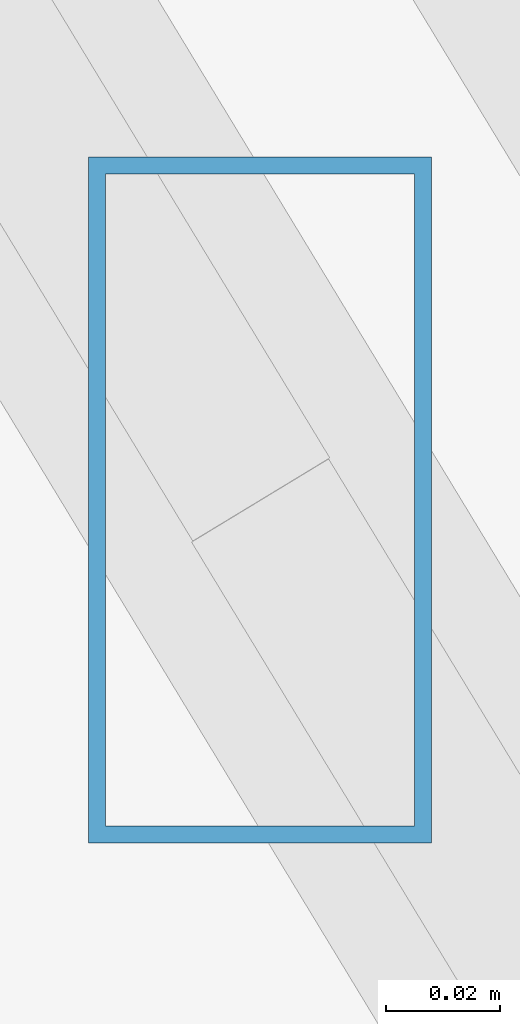
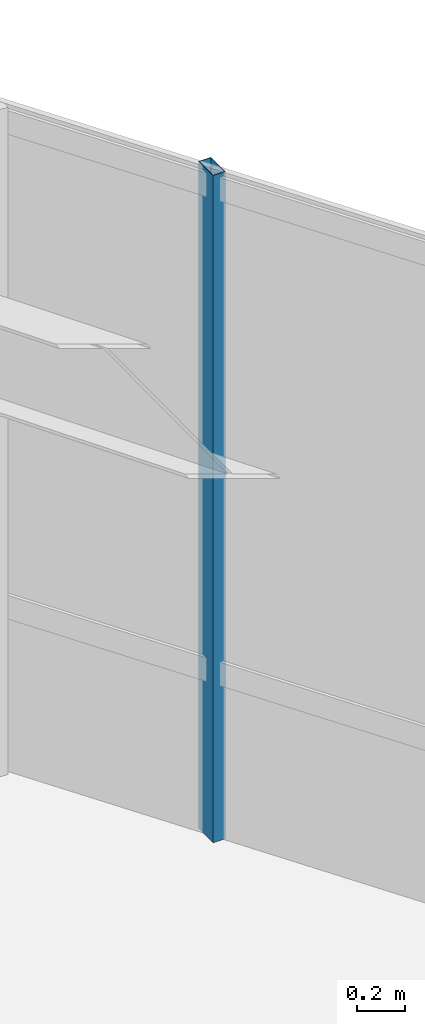
# One storey, part 25 of 46: 1 member, 1 element without a shape of its own.
"""IFC4 building model written with IfcOpenShell, lengths in metres."""

from ifc_helpers import new_model, si_unit, direction, frame, origin, origin_2d, place, context, subcontext, project, spatial, hollow_rectangle, extrude, source, transform, mapped, material, material_profile, profile_set, type_object, type_shapes, element, aggregate, save


model = new_model("IFC4")

# Units and contexts
model_context = context("Model", 3, precision=1e-05, world=origin(), true_north=direction((0.0, 1.0)))
body_context = subcontext(model_context, "Body", "Model", "MODEL_VIEW")
ifc_project = project(units=[si_unit("LENGTHUNIT", "METRE"), si_unit("AREAUNIT", "SQUARE_METRE"), si_unit("VOLUMEUNIT", "CUBIC_METRE"), si_unit("PLANEANGLEUNIT", "RADIAN"), si_unit("MASSUNIT", "GRAM", prefix="KILO")], contexts=[model_context])

# Site, building, storey
site_placement = place(None, origin())
site = spatial("IfcSite", under=ifc_project, at=site_placement, CompositionType="ELEMENT")
building_placement = place(site_placement, origin())
building = spatial("IfcBuilding", under=site, at=building_placement, Name="Caelisora Broadcast Tower", CompositionType="ELEMENT")
storey_placement = place(building_placement, frame((0.0, 0.0, 237.14990234375)))
storey = spatial("IfcBuildingStorey", under=building, at=storey_placement, Name="L62", CompositionType="ELEMENT", Elevation=237.14990234375)

# Curtain wall, member
ifc_material_1 = material(Name="Unitised Aluminium and Low-E Glass Curtain Wall", Category="glass")
curtain_wall_type = type_object("IfcCurtainWallType", Name="CW-Z5", PredefinedType="NOTDEFINED", material=ifc_material_1)
curtain_wall_placement = place(storey_placement, origin())
curtain_wall = element("IfcCurtainWall", 1, at=curtain_wall_placement, inside=storey, type_object=curtain_wall_type, Name="L62 curtain wall CW-Z5", PredefinedType="NOTDEFINED")
ifc_material_2 = material(Name="Aluminium 6063-T6 Anodised Terracotta Bronze", Category="aluminium")
ifc_material_profile = material_profile(ifc_material_2, hollow_rectangle(XDim=0.06005859375, YDim=0.1201171875, WallThickness=0.0029296875, at=origin_2d()), Name="Aluminium 6063-T6 Anodised Terracotta Bronze")
ifc_profile_set = profile_set([ifc_material_profile], Name="Aluminium 6063-T6 Anodised Terracotta Bronze")
member_type = type_object("IfcMemberType", Name="CWM-04", PredefinedType="MULLION", material=ifc_profile_set)
shared_shape = source(origin(), body_context, "Body", "SweptSolid", [
    extrude(hollow_rectangle(XDim=0.06005859375, YDim=0.1201171875, WallThickness=0.0029296875, at=origin_2d()), origin(), (0.0, 0.0, 1.0), 3.400146484375),
])
type_shapes(member_type, [shared_shape])
member_placement = place(storey_placement, frame((58.144287109375, 21.764892578125, 0.0), z_axis=(0.0, 0.0, 1.0), x_axis=(1.0, 0.0, 0.0)))
member = element("IfcMember", 2, at=member_placement, type_object=member_type, Name="L62-CW-B03 mullion #1", PredefinedType="MULLION", context=body_context, shape_type="MappedRepresentation", body=[
    mapped(shared_shape, transform((0.0, 0.0, 0.0), scale=1.0)),
])
aggregate(curtain_wall, [member])

save(model, "model.ifc")
